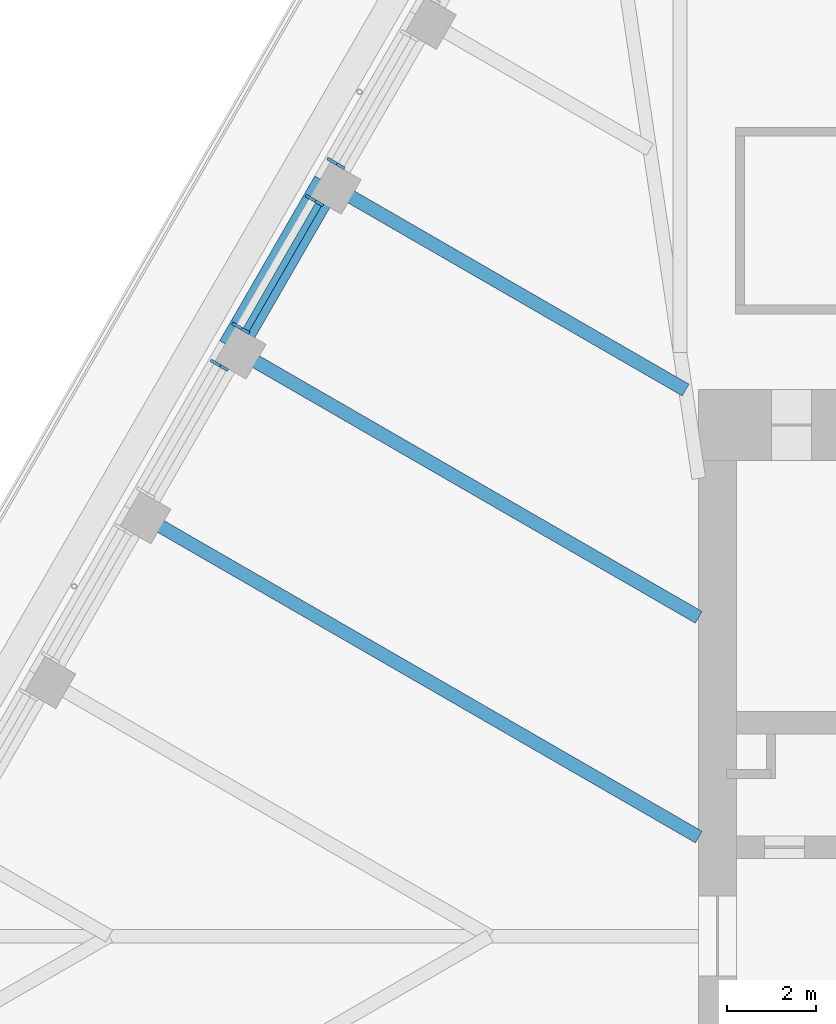
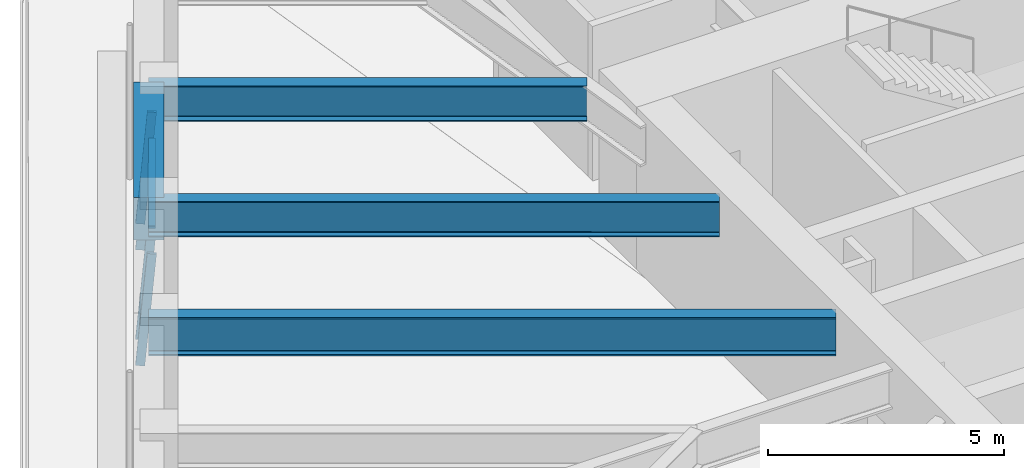
# One storey, part 7 of 19: 5 members, 4 beams, 3 elements without a shape of their own.
"""IFC4 building model written with IfcOpenShell, lengths in metres."""

from ifc_helpers import new_model, si_unit, direction, frame, origin, origin_2d, place, context, subcontext, project, spatial, rectangle, i_section, extrude, material, material_profile, profile_set, type_object, element, aggregate, save


model = new_model("IFC4")

# Units and contexts
model_context = context("Model", 3, precision=1e-05, world=origin(), true_north=direction((0.0, 1.0)))
body_context = subcontext(model_context, "Body", "Model", "MODEL_VIEW")
ifc_project = project(units=[si_unit("LENGTHUNIT", "METRE"), si_unit("AREAUNIT", "SQUARE_METRE"), si_unit("VOLUMEUNIT", "CUBIC_METRE"), si_unit("PLANEANGLEUNIT", "RADIAN"), si_unit("MASSUNIT", "GRAM", prefix="KILO")], contexts=[model_context])

# Site, building, storey
site_placement = place(None, origin())
site = spatial("IfcSite", under=ifc_project, at=site_placement, CompositionType="ELEMENT")
building_placement = place(site_placement, origin())
building = spatial("IfcBuilding", under=site, at=building_placement, Name="Tarfa Lantern Tower", CompositionType="ELEMENT")
storey_placement = place(building_placement, frame((0.0, 0.0, 370.300048828125)))
storey = spatial("IfcBuildingStorey", under=building, at=storey_placement, Name="L84", CompositionType="ELEMENT", Elevation=370.300048828125)

# Curtain wall, member
ifc_material_1 = material(Name="Aluminium framed curtain wall", Category="aluminium")
curtain_wall_type = type_object("IfcCurtainWallType", Name="CW4 CANTED GLAZING EXECUTIVE ZONE 2900", PredefinedType="USERDEFINED", material=ifc_material_1)
curtain_wall_1_placement = place(storey_placement, origin())
curtain_wall_1 = element("IfcCurtainWall", 1, at=curtain_wall_1_placement, inside=storey, type_object=curtain_wall_type, Name="CW4 NW L84", ObjectType="CURTAIN WALL", PredefinedType="USERDEFINED")
ifc_material_2 = material(Name="Aluminium mullion", Category="aluminium")
ifc_material_profile_1 = material_profile(ifc_material_2, rectangle(XDim=0.06494140625, YDim=0.199951171875, at=origin_2d()), Name="AL MULLION 65x200")
ifc_profile_set_1 = profile_set([ifc_material_profile_1], Name="Aluminium mullion")
member_type_1 = type_object("IfcMemberType", Name="CWM1 MULLION 65x200", PredefinedType="MULLION", material=ifc_profile_set_1)
member_1_placement = place(storey_placement, frame((-20.697265625, 17.451171875, 0.0), z_axis=(0.074399820079, -0.042945555672, 0.996303340364), x_axis=(0.499919672301, 0.866071776036, 0.0)))
member_1 = element("IfcMember", 2, at=member_1_placement, type_object=member_type_1, Name="CW4 mullion 2", PredefinedType="MULLION", context=body_context, shape_type="SweptSolid", body=[
    extrude(rectangle(XDim=0.06494140625, YDim=0.199951171875, at=origin_2d()), origin(), (0.0, 0.0, 1.0), 2.91064453125),
])
aggregate(curtain_wall_1, [member_1])

# Curtain wall, members
curtain_wall_2_placement = place(storey_placement, origin())
curtain_wall_2 = element("IfcCurtainWall", 3, at=curtain_wall_2_placement, inside=storey, type_object=curtain_wall_type, Name="CW4 NW L84", ObjectType="CURTAIN WALL", PredefinedType="USERDEFINED")
member_2_placement = place(storey_placement, frame((-21.179931640625, 16.615478515625, 0.0), z_axis=(0.074399820079, -0.042945555672, 0.996303340364), x_axis=(0.499919672301, 0.866071776036, 0.0)))
member_2 = element("IfcMember", 4, at=member_2_placement, type_object=member_type_1, Name="CW4 mullion 1", PredefinedType="MULLION", context=body_context, shape_type="SweptSolid", body=[
    extrude(rectangle(XDim=0.06494140625, YDim=0.199951171875, at=origin_2d()), origin(), (0.0, 0.0, 1.0), 2.91064453125),
])
member_3_placement = place(storey_placement, frame((-22.83837890625, 13.742919921875, 0.0), z_axis=(0.074399820079, -0.042945555672, 0.996303340364), x_axis=(0.499919672301, 0.866071776036, 0.0)))
member_3 = element("IfcMember", 5, at=member_3_placement, type_object=member_type_1, Name="CW4 mullion 2", PredefinedType="MULLION", context=body_context, shape_type="SweptSolid", body=[
    extrude(rectangle(XDim=0.06494140625, YDim=0.199951171875, at=origin_2d()), origin(), (0.0, 0.0, 1.0), 2.91064453125),
])

# Curtain wall, member
curtain_wall_3_placement = place(storey_placement, origin())
curtain_wall_3 = element("IfcCurtainWall", 6, at=curtain_wall_3_placement, inside=storey, type_object=curtain_wall_type, Name="CW4 NW L84", ObjectType="CURTAIN WALL", PredefinedType="USERDEFINED")
member_4_placement = place(storey_placement, frame((-23.32080078125, 12.9072265625, 0.0), z_axis=(0.074399820079, -0.042945555672, 0.996303340364), x_axis=(0.499919672301, 0.866071776036, 0.0)))
member_4 = element("IfcMember", 7, at=member_4_placement, type_object=member_type_1, Name="CW4 mullion 1", PredefinedType="MULLION", context=body_context, shape_type="SweptSolid", body=[
    extrude(rectangle(XDim=0.06494140625, YDim=0.199951171875, at=origin_2d()), origin(), (0.0, 0.0, 1.0), 2.91064453125),
])
aggregate(curtain_wall_3, [member_4])

# Member
ifc_material_3 = material(Name="Aluminium transom", Category="aluminium")
ifc_material_profile_2 = material_profile(ifc_material_3, rectangle(XDim=0.14990234375, YDim=0.06494140625, at=origin_2d()), Name="AL TRANSOM 150x65")
ifc_profile_set_2 = profile_set([ifc_material_profile_2], Name="Aluminium transom")
member_type_2 = type_object("IfcMemberType", Name="CWT1 TRANSOM 150x65", PredefinedType="USERDEFINED", material=ifc_profile_set_2)
member_5_placement = place(storey_placement, frame((-20.98193359375, 16.463623046875, 2.867431640625), z_axis=(-0.500014901547, -0.866016800201, 0.0), x_axis=(0.866016800201, -0.500014901547, 0.0)))
member_5 = element("IfcMember", 8, at=member_5_placement, type_object=member_type_2, Name="CW4 transom 1.2", ObjectType="TRANSOM", PredefinedType="USERDEFINED", context=body_context, shape_type="SweptSolid", body=[
    extrude(rectangle(XDim=0.14990234375, YDim=0.06494140625, at=origin_2d()), origin(), (0.0, 0.0, 1.0), 3.251953125),
])

aggregate(curtain_wall_2, [member_2, member_3, member_5])

# Beams
ifc_material_4 = material(Name="Concrete C80/95", Category="concrete")
ifc_material_profile_3 = material_profile(ifc_material_4, rectangle(XDim=0.64990234375, YDim=1.10009765625, at=origin_2d()), Name="RC 650x1100")
ifc_profile_set_3 = profile_set([ifc_material_profile_3], Name="Concrete C80/95")
beam_type_1 = type_object("IfcBeamType", Name="EB4 RC 650x1100", PredefinedType="SPANDREL", material=ifc_profile_set_3)
beam_1_placement = place(storey_placement, frame((-20.78271484375, 16.943359375, 3.449951171875), z_axis=(-0.499984039138, -0.866034618596, 0.0), x_axis=(0.866034618596, -0.499984039138, 0.0)))
element("IfcBeam", 9, at=beam_1_placement, inside=storey, type_object=beam_type_1, Name="Edge beam NW2", PredefinedType="SPANDREL", context=body_context, shape_type="SweptSolid", body=[
    extrude(rectangle(XDim=0.64990234375, YDim=1.10009765625, at=origin_2d()), origin(), (0.0, 0.0, 1.0), 4.281982421875),
])
ifc_material_5 = material(Name="Steel S460M", Category="steel")
ifc_material_profile_4 = material_profile(ifc_material_5, i_section(OverallWidth=0.302001953125, OverallDepth=1.008056640625, WebThickness=0.02099609375, FlangeThickness=0.0400390625, FilletRadius=0.030029296875, at=origin_2d()), Name="UB1016x305x349")
ifc_profile_set_4 = profile_set([ifc_material_profile_4], Name="Steel S460M")
beam_type_2 = type_object("IfcBeamType", Name="UB1016x305x349", PredefinedType="BEAM", material=ifc_profile_set_4)
beam_2_placement = place(storey_placement, frame((-25.064697265625, 9.526611328125, 3.495849609375), z_axis=(0.866029591389, -0.499992746786, 0.0), x_axis=(0.499992746786, 0.866029591389, 0.0)))
element("IfcBeam", 10, at=beam_2_placement, inside=storey, type_object=beam_type_2, Name="Floor beam NW4", PredefinedType="BEAM", context=body_context, shape_type="SweptSolid", body=[
    extrude(i_section(OverallWidth=0.302001953125, OverallDepth=1.008056640625, WebThickness=0.02099609375, FlangeThickness=0.0400390625, FilletRadius=0.030029296875, at=origin_2d()), origin(), (0.0, 0.0, 1.0), 14.594970703125),
])
ifc_material_profile_5 = material_profile(ifc_material_5, i_section(OverallWidth=0.305419921875, OverallDepth=0.91845703125, WebThickness=0.017333984375, FlangeThickness=0.02783203125, FilletRadius=0.01904296875, at=origin_2d()), Name="UB914x305x253")
ifc_profile_set_5 = profile_set([ifc_material_profile_5], Name="Steel S460M")
beam_type_3 = type_object("IfcBeamType", Name="UB914x305x253", PredefinedType="BEAM", material=ifc_profile_set_5)
beam_3_placement = place(storey_placement, frame((-20.78271484375, 16.943359375, 3.540771484375), z_axis=(0.866021806508, -0.500006230613, 0.0), x_axis=(0.500006230613, 0.866021806508, 0.0)))
element("IfcBeam", 11, at=beam_3_placement, inside=storey, type_object=beam_type_3, Name="Floor beam NW2", PredefinedType="BEAM", context=body_context, shape_type="SweptSolid", body=[
    extrude(i_section(OverallWidth=0.305419921875, OverallDepth=0.91845703125, WebThickness=0.017333984375, FlangeThickness=0.02783203125, FilletRadius=0.01904296875, at=origin_2d()), origin(), (0.0, 0.0, 1.0), 9.30908203125),
])
beam_4_placement = place(storey_placement, frame((-22.923583984375, 13.235107421875, 3.540771484375), z_axis=(0.86601856927, -0.500011837539, 0.0), x_axis=(0.500011837539, 0.86601856927, 0.0)))
element("IfcBeam", 12, at=beam_4_placement, inside=storey, type_object=beam_type_3, Name="Floor beam NW3", PredefinedType="BEAM", context=body_context, shape_type="SweptSolid", body=[
    extrude(i_section(OverallWidth=0.305419921875, OverallDepth=0.91845703125, WebThickness=0.017333984375, FlangeThickness=0.02783203125, FilletRadius=0.01904296875, at=origin_2d()), origin(), (0.0, 0.0, 1.0), 12.122802734375),
])

save(model, "model.ifc")
